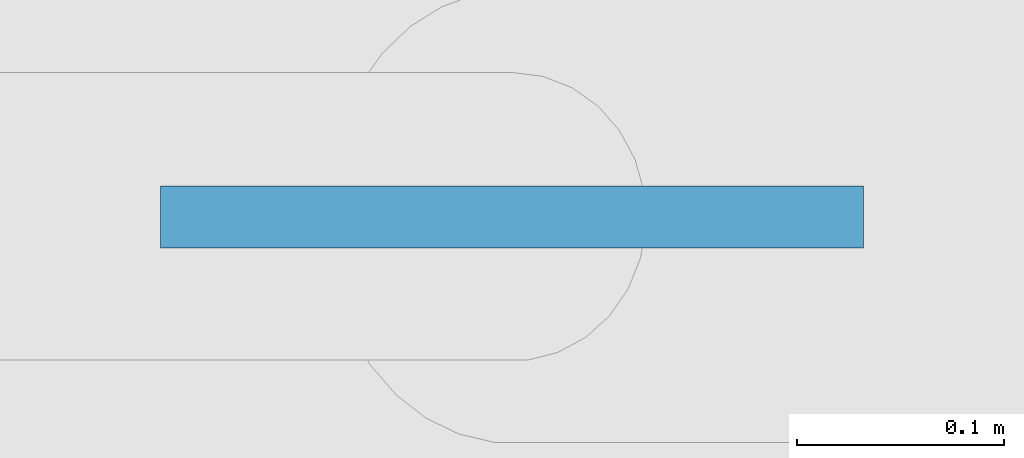
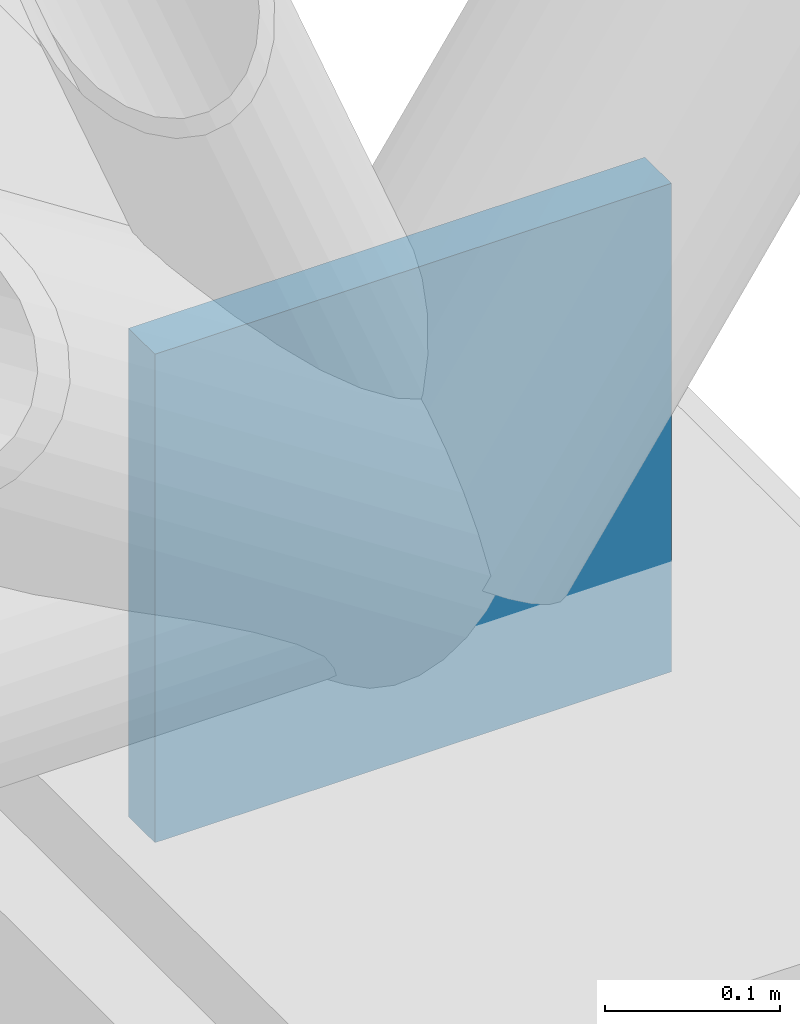
# One storey, part 49 of 65: 1 discrete accessory.
"""IFC4 building model written with IfcOpenShell, lengths in metres."""

from ifc_helpers import new_model, si_unit, direction, frame, origin, origin_2d, place, context, subcontext, project, spatial, rectangle, extrude, material, layer, layer_set, type_object, element, save


model = new_model("IFC4")

# Units and contexts
model_context = context("Model", 3, precision=1e-05, world=origin(), true_north=direction((0.0, 1.0)))
body_context = subcontext(model_context, "Body", "Model", "MODEL_VIEW")
ifc_project = project(units=[si_unit("LENGTHUNIT", "METRE"), si_unit("AREAUNIT", "SQUARE_METRE"), si_unit("VOLUMEUNIT", "CUBIC_METRE"), si_unit("PLANEANGLEUNIT", "RADIAN"), si_unit("MASSUNIT", "GRAM", prefix="KILO")], contexts=[model_context])

# Site, building, storey
site_placement = place(None, origin())
site = spatial("IfcSite", under=ifc_project, at=site_placement, CompositionType="ELEMENT")
building_placement = place(site_placement, origin())
building = spatial("IfcBuilding", under=site, at=building_placement, Name="Elbe Cascade School", CompositionType="ELEMENT")
storey_placement = place(building_placement, frame((0.0, 0.0, 11.699951171875)))
storey = spatial("IfcBuildingStorey", under=building, at=storey_placement, Name="L03", CompositionType="ELEMENT", Elevation=11.699951171875)

# Discrete accessory
ifc_material = material(Name="Steel S355J2", Category="steel")
ifc_layer = layer(ifc_material, 0.030029296875)
ifc_layer_set = layer_set([ifc_layer], Name="Steel S355J2")
discrete_accessory_type = type_object("IfcDiscreteAccessoryType", Name="Truss node connection", PredefinedType="BRACKET", material=ifc_layer_set)
discrete_accessory_placement = place(storey_placement, frame((60.0, 64.75, 1.72216796875), z_axis=(0.0, 0.0, 1.0), x_axis=(1.0, 0.0, 0.0)))
element("IfcDiscreteAccessory", 1, at=discrete_accessory_placement, inside=storey, type_object=discrete_accessory_type, Name="Truss node connection AC1", PredefinedType="BRACKET", context=body_context, shape_type="SweptSolid", body=[
    extrude(rectangle(XDim=0.340087890625, YDim=0.030029296875, at=origin_2d()), origin(), (0.0, 0.0, 1.0), 0.340087890625),
])

save(model, "model.ifc")
